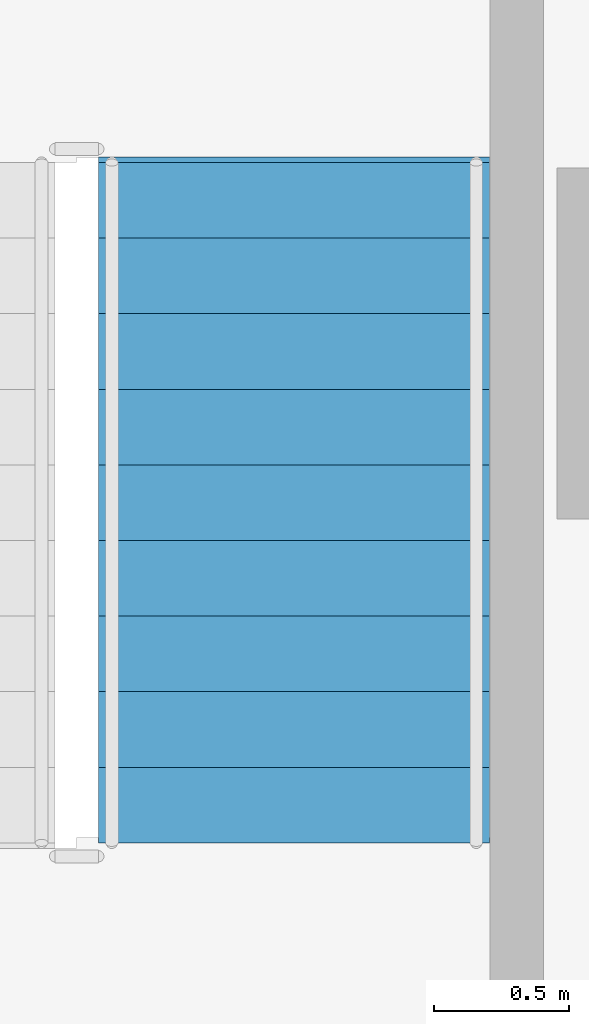
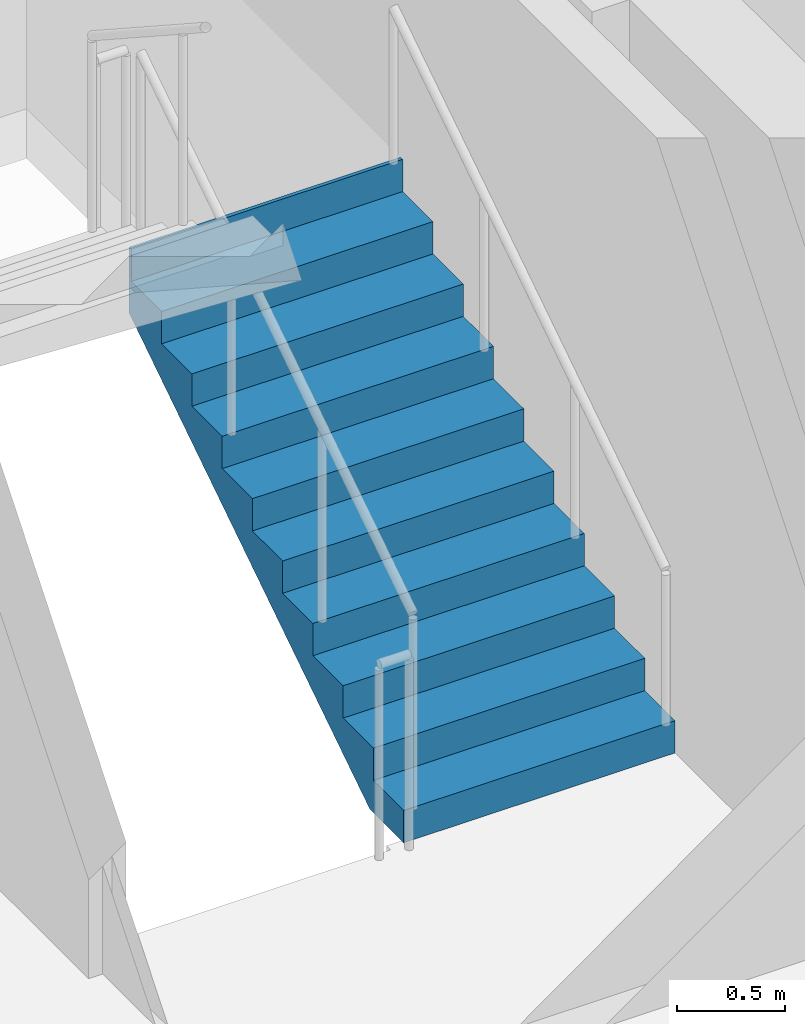
# One storey, part 8 of 12: 1 stair flight, 1 element without a shape of its own.
"""IFC4 building model written with IfcOpenShell, lengths in metres."""

from ifc_helpers import new_model, si_unit, direction, frame, origin, place, context, subcontext, project, spatial, polyline, outline, extrude, material, type_object, element, aggregate, save


model = new_model("IFC4")

# Units and contexts
model_context = context("Model", 3, precision=1e-05, world=origin(), true_north=direction((0.0, 1.0)))
body_context = subcontext(model_context, "Body", "Model", "MODEL_VIEW")
ifc_project = project(units=[si_unit("LENGTHUNIT", "METRE"), si_unit("AREAUNIT", "SQUARE_METRE"), si_unit("VOLUMEUNIT", "CUBIC_METRE"), si_unit("PLANEANGLEUNIT", "RADIAN"), si_unit("MASSUNIT", "GRAM", prefix="KILO")], contexts=[model_context])

# Site, building, storey
site_placement = place(None, origin())
site = spatial("IfcSite", under=ifc_project, at=site_placement, CompositionType="ELEMENT")
building_placement = place(site_placement, origin())
building = spatial("IfcBuilding", under=site, at=building_placement, Name="Nuvemarco Arch Tower", CompositionType="ELEMENT")
storey_placement = place(building_placement, frame((0.0, 0.0, 34.89990234375)))
storey = spatial("IfcBuildingStorey", under=building, at=storey_placement, Name="L08", CompositionType="ELEMENT", Elevation=34.89990234375)

# Stair, stair flight
ifc_material = material(Name="Precast concrete C45/55", Category="concrete")
stair_type = type_object("IfcStairType", Name="ST-CORE-20R", PredefinedType="HALF_TURN_STAIR", material=ifc_material)
stair_placement = place(storey_placement, origin())
stair = element("IfcStair", 1, at=stair_placement, inside=storey, type_object=stair_type, Name="L08 Protected Exit Stair ST-2", PredefinedType="HALF_TURN_STAIR")
stair_flight_type = type_object("IfcStairFlightType", Name="SF-CORE-20R", PredefinedType="STRAIGHT", material=ifc_material)
stair_flight_placement = place(storey_placement, frame((15.875, 2.64990234375, 0.0), z_axis=(0.0, 0.0, 1.0), x_axis=(0.0, 1.0, 0.0)))
stair_flight = element("IfcStairFlight", 2, at=stair_flight_placement, type_object=stair_flight_type, Name="ST-20R flight 1", NumberOfRisers=10, NumberOfTreads=9, PredefinedType="STRAIGHT", RiserHeight=0.1825, TreadLength=0.28, context=body_context, shape_type="SweptSolid", body=[
    extrude(outline(polyline([(0.0, 0.0), (0.0, 0.1826171875), (0.280029296875, 0.1826171875), (0.280029296875, 0.364990234375), (0.56005859375, 0.364990234375), (0.56005859375, 0.547607421875), (0.840087890625, 0.547607421875), (0.840087890625, 0.72998046875), (1.1201171875, 0.72998046875), (1.1201171875, 0.91259765625), (1.39990234375, 0.91259765625), (1.39990234375, 1.094970703125), (1.679931640625, 1.094970703125), (1.679931640625, 1.277587890625), (1.9599609375, 1.277587890625), (1.9599609375, 1.4599609375), (2.239990234375, 1.4599609375), (2.239990234375, 1.642578125), (2.52001953125, 1.642578125), (2.52001953125, 1.824951171875), (2.5400390625, 1.824951171875), (2.5400390625, 1.45166015625), (0.312744140625, 0.0), (0.0, 0.0)])), frame((0.0, 0.72509765625, 0.0), z_axis=(0.0, -1.0, 0.0), x_axis=(1.0, 0.0, 0.0)), (0.0, 0.0, 1.0), 1.449951171875),
])
aggregate(stair, [stair_flight])

save(model, "model.ifc")
